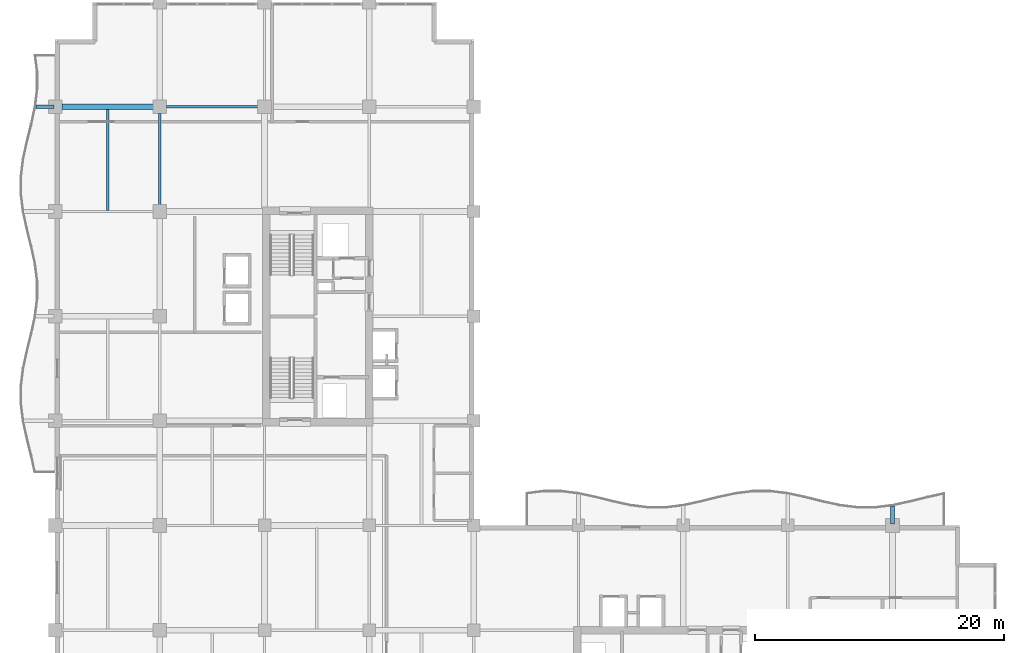
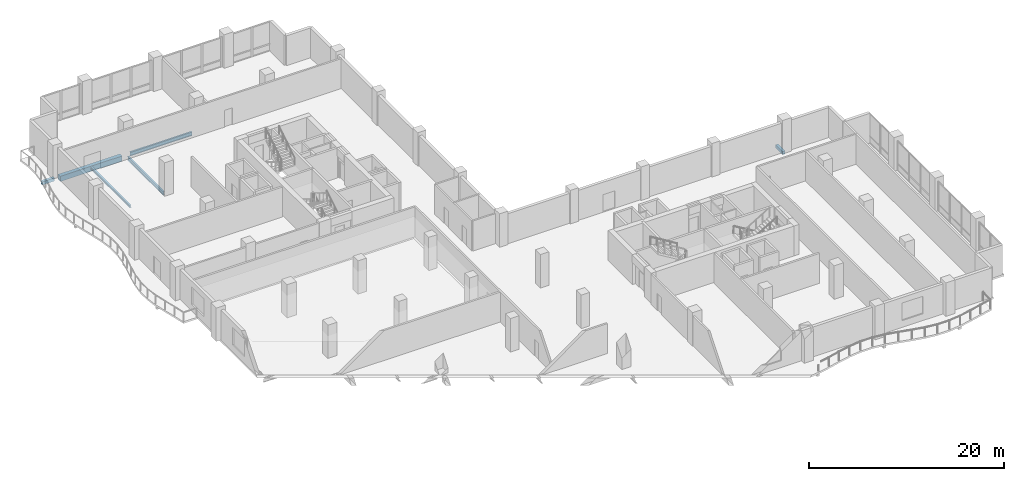
# One storey, part 5 of 21: 6 beams.
"""IFC4 building model written with IfcOpenShell, lengths in metres."""

from ifc_helpers import new_model, si_unit, direction, frame, origin, origin_2d, place, context, subcontext, project, spatial, rectangle, i_section, extrude, material, material_profile, profile_set, type_object, element, save


model = new_model("IFC4")

# Units and contexts
model_context = context("Model", 3, precision=1e-05, world=origin(), true_north=direction((0.0, 1.0)))
body_context = subcontext(model_context, "Body", "Model", "MODEL_VIEW")
ifc_project = project(units=[si_unit("LENGTHUNIT", "METRE"), si_unit("AREAUNIT", "SQUARE_METRE"), si_unit("VOLUMEUNIT", "CUBIC_METRE"), si_unit("PLANEANGLEUNIT", "RADIAN"), si_unit("MASSUNIT", "GRAM", prefix="KILO")], contexts=[model_context])

# Site, building, storey
site_placement = place(None, origin())
site = spatial("IfcSite", under=ifc_project, at=site_placement, CompositionType="ELEMENT")
building_placement = place(site_placement, origin())
building = spatial("IfcBuilding", under=site, at=building_placement, Name="Koriwani Terraces Tower", CompositionType="ELEMENT")
storey_placement = place(building_placement, frame((0.0, 0.0, 224.0)))
storey = spatial("IfcBuildingStorey", under=building, at=storey_placement, Name="L55", CompositionType="ELEMENT", Elevation=224.0)

# Beams
ifc_material_1 = material(Name="Concrete C40/50", Category="concrete")
ifc_material_profile_1 = material_profile(ifc_material_1, rectangle(XDim=0.300048828125, YDim=0.39990234375, at=origin_2d()), Name="Concrete C40/50", Category="LoadBearing")
ifc_profile_set_1 = profile_set([ifc_material_profile_1], Name="Concrete C40/50")
beam_type_1 = type_object("IfcBeamType", Name="BEAM_RC_BALCONY_RIB_300X400", PredefinedType="JOIST", material=ifc_profile_set_1)
beam_1_placement = place(storey_placement, frame((-1.547607421875, 67.199951171875, -0.429931640625), z_axis=(1.0, 0.0, 0.0), x_axis=(0.0, 1.0, 0.0)))
element("IfcBeam", 1, at=beam_1_placement, inside=storey, type_object=beam_type_1, Name="L55 Balcony Bracket Rib W-4", PredefinedType="JOIST", context=body_context, shape_type="SweptSolid", body=[
    extrude(rectangle(XDim=0.300048828125, YDim=0.39990234375, at=origin_2d()), origin(), (0.0, 0.0, 1.0), 1.447509765625),
])
beam_2_placement = place(storey_placement, frame((67.199951171875, 33.699951171875, -0.429931640625), z_axis=(0.0, 1.0, 0.0), x_axis=(-1.0, 0.0, 0.0)))
element("IfcBeam", 2, at=beam_2_placement, inside=storey, type_object=beam_type_1, Name="L55 Balcony Bracket Rib NE-4", PredefinedType="JOIST", context=body_context, shape_type="SweptSolid", body=[
    extrude(rectangle(XDim=0.300048828125, YDim=0.39990234375, at=origin_2d()), origin(), (0.0, 0.0, 1.0), 1.44775390625),
])
ifc_material_2 = material(Name="Concrete C50/60", Category="concrete")
ifc_material_profile_2 = material_profile(ifc_material_2, rectangle(XDim=0.449951171875, YDim=0.64990234375, at=origin_2d()), Name="Concrete C50/60", Category="LoadBearing")
ifc_profile_set_2 = profile_set([ifc_material_profile_2], Name="Concrete C50/60")
beam_type_2 = type_object("IfcBeamType", Name="BEAM_RC_GRID_450X650", PredefinedType="BEAM", material=ifc_profile_set_2)
beam_3_placement = place(storey_placement, frame((0.530029296875, 67.199951171875, -0.554931640625), z_axis=(1.0, 0.0, 0.0), x_axis=(0.0, 1.0, 0.0)))
element("IfcBeam", 3, at=beam_3_placement, inside=storey, type_object=beam_type_2, Name="L55 Grid Beam I (0.0-8.4m)", PredefinedType="BEAM", context=body_context, shape_type="SweptSolid", body=[
    extrude(rectangle(XDim=0.449951171875, YDim=0.64990234375, at=origin_2d()), origin(), (0.0, 0.0, 1.0), 7.340087890625),
])
ifc_material_3 = material(Name="Steel ASTM A572 Grade 50", Category="steel")
ifc_material_profile_3 = material_profile(ifc_material_3, i_section(OverallWidth=0.205078125, OverallDepth=0.31005859375, WebThickness=0.009521484375, FlangeThickness=0.016357421875, at=origin_2d()), Name="Steel ASTM A572 Grade 50", Category="LoadBearing")
ifc_profile_set_3 = profile_set([ifc_material_profile_3], Name="Steel ASTM A572 Grade 50")
beam_type_3 = type_object("IfcBeamType", Name="STEEL_BEAM_W310X74", PredefinedType="JOIST", material=ifc_profile_set_3)
beam_4_placement = place(storey_placement, frame((4.199951171875, 58.885986328125, -0.385009765625), z_axis=(0.0, 1.0, 0.0), x_axis=(-1.0, 0.0, 0.0)))
element("IfcBeam", 4, at=beam_4_placement, inside=storey, type_object=beam_type_3, Name="L55 Secondary Steel Floor Joist X=4.2m", PredefinedType="JOIST", context=body_context, shape_type="SweptSolid", body=[
    extrude(i_section(OverallWidth=0.205078125, OverallDepth=0.31005859375, WebThickness=0.009521484375, FlangeThickness=0.016357421875, at=origin_2d()), origin(), (0.0, 0.0, 1.0), 8.09912109375),
])
ifc_material_profile_4 = material_profile(ifc_material_3, i_section(OverallWidth=0.19189453125, OverallDepth=0.462890625, WebThickness=0.010498046875, FlangeThickness=0.01611328125, at=origin_2d()), Name="Steel ASTM A572 Grade 50", Category="LoadBearing")
ifc_profile_set_4 = profile_set([ifc_material_profile_4], Name="Steel ASTM A572 Grade 50")
beam_type_4 = type_object("IfcBeamType", Name="STEEL_BEAM_W460X89", PredefinedType="BEAM", material=ifc_profile_set_4)
beam_5_placement = place(storey_placement, frame((8.929931640625, 67.199951171875, -0.46142578125), z_axis=(1.0, 0.0, 0.0), x_axis=(0.0, 1.0, 0.0)))
element("IfcBeam", 5, at=beam_5_placement, inside=storey, type_object=beam_type_4, Name="L55 Grid Beam I (8.4-16.8m)", PredefinedType="BEAM", context=body_context, shape_type="SweptSolid", body=[
    extrude(i_section(OverallWidth=0.19189453125, OverallDepth=0.462890625, WebThickness=0.010498046875, FlangeThickness=0.01611328125, at=origin_2d()), origin(), (0.0, 0.0, 1.0), 7.340087890625),
])
beam_6_placement = place(storey_placement, frame((8.39990234375, 59.330078125, -0.46142578125), z_axis=(0.0, 1.0, 0.0), x_axis=(-1.0, 0.0, 0.0)))
element("IfcBeam", 6, at=beam_6_placement, inside=storey, type_object=beam_type_4, Name="L55 Grid Beam 2 (58.8-67.2m)", PredefinedType="BEAM", context=body_context, shape_type="SweptSolid", body=[
    extrude(i_section(OverallWidth=0.19189453125, OverallDepth=0.462890625, WebThickness=0.010498046875, FlangeThickness=0.01611328125, at=origin_2d()), origin(), (0.0, 0.0, 1.0), 7.33984375),
])

save(model, "model.ifc")
